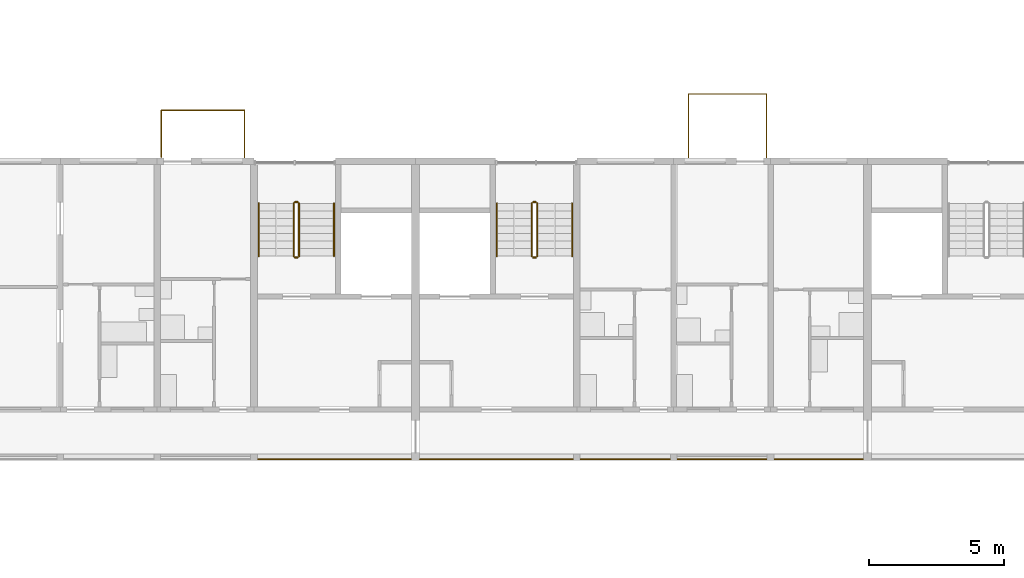
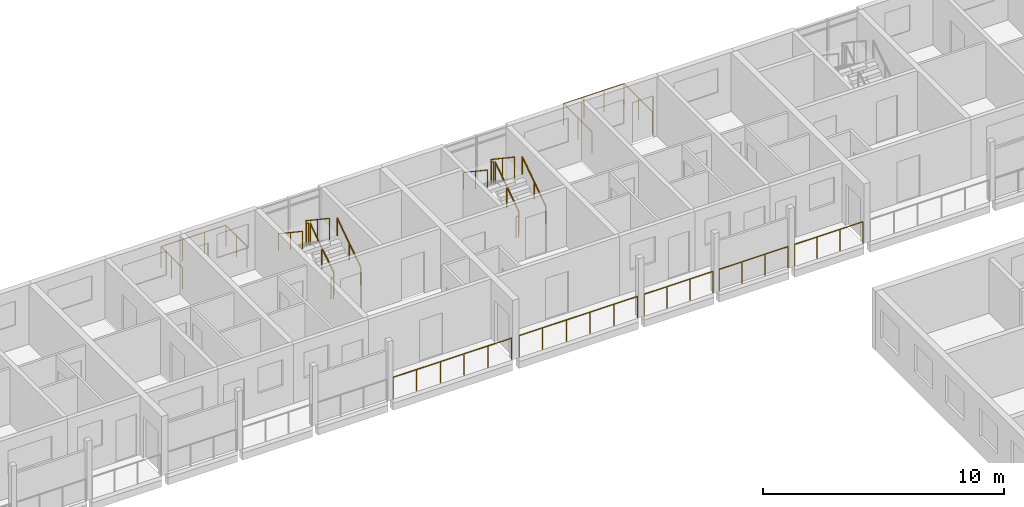
# One storey, part 109 of 122: 19 railings.
"""IFC4 building model written with IfcOpenShell, lengths in metres."""

from ifc_helpers import new_model, si_unit, direction, frame, origin, origin_2d, place, context, subcontext, project, spatial, circle, extrude, material, type_object, element, save


model = new_model("IFC4")

# Units and contexts
model_context = context("Model", 3, precision=1e-05, world=origin(), true_north=direction((0.0, 1.0)))
body_context = subcontext(model_context, "Body", "Model", "MODEL_VIEW")
ifc_project = project(units=[si_unit("LENGTHUNIT", "METRE"), si_unit("AREAUNIT", "SQUARE_METRE"), si_unit("VOLUMEUNIT", "CUBIC_METRE"), si_unit("PLANEANGLEUNIT", "RADIAN"), si_unit("MASSUNIT", "GRAM", prefix="KILO")], contexts=[model_context])

# Site, building, storey
site_placement = place(None, origin())
site = spatial("IfcSite", under=ifc_project, at=site_placement, CompositionType="ELEMENT")
building_placement = place(site_placement, origin())
building = spatial("IfcBuilding", under=site, at=building_placement, Name="Ridgestep Commons", CompositionType="ELEMENT")
storey_placement = place(building_placement, frame((0.0, 0.0, 3.0)))
storey = spatial("IfcBuildingStorey", under=building, at=storey_placement, Name="L01", CompositionType="ELEMENT", Elevation=3.0)

# Railings
ifc_material_1 = material(Name="Structural steel S355JR", Category="steel")
railing_type_1 = type_object("IfcRailingType", Name="Guard 1100", PredefinedType="GUARDRAIL", material=ifc_material_1)
railing_1_placement = place(storey_placement, frame((73.345947265625, 66.050048828125, 0.0)))
element("IfcRailing", 1, at=railing_1_placement, inside=storey, type_object=railing_type_1, Name="Gallery guard B 01.16", PredefinedType="GUARDRAIL", context=body_context, shape_type="SweptSolid", body=[
    extrude(circle(Radius=0.02392578125, at=origin_2d()), frame((0.0, 0.0, 1.076171875), z_axis=(1.0, 0.0, 0.0), x_axis=(0.0, 1.0, 0.0)), (0.0, 0.0, 1.0), 5.68310546875),
    extrude(circle(Radius=0.02099609375, at=origin_2d()), origin(), (0.0, 0.0, 1.0), 1.052001953125),
    extrude(circle(Radius=0.02099609375, at=origin_2d()), frame((1.13671875, 0.0, 0.0)), (0.0, 0.0, 1.0), 1.052001953125),
    extrude(circle(Radius=0.02099609375, at=origin_2d()), frame((2.273193359375, 0.0, 0.0)), (0.0, 0.0, 1.0), 1.052001953125),
    extrude(circle(Radius=0.02099609375, at=origin_2d()), frame((3.409912109375, 0.0, 0.0)), (0.0, 0.0, 1.0), 1.052001953125),
    extrude(circle(Radius=0.02099609375, at=origin_2d()), frame((4.54638671875, 0.0, 0.0)), (0.0, 0.0, 1.0), 1.052001953125),
    extrude(circle(Radius=0.02099609375, at=origin_2d()), frame((5.68310546875, 0.0, 0.0)), (0.0, 0.0, 1.0), 1.052001953125),
])
railing_2_placement = place(storey_placement, frame((79.37109375, 66.050048828125, 0.0)))
element("IfcRailing", 2, at=railing_2_placement, inside=storey, type_object=railing_type_1, Name="Gallery guard B 01.17", PredefinedType="GUARDRAIL", context=body_context, shape_type="SweptSolid", body=[
    extrude(circle(Radius=0.02392578125, at=origin_2d()), frame((0.0, 0.0, 1.076171875), z_axis=(1.0, 0.0, 0.0), x_axis=(0.0, 1.0, 0.0)), (0.0, 0.0, 1.0), 5.682861328125),
    extrude(circle(Radius=0.02099609375, at=origin_2d()), origin(), (0.0, 0.0, 1.0), 1.052001953125),
    extrude(circle(Radius=0.02099609375, at=origin_2d()), frame((1.136474609375, 0.0, 0.0)), (0.0, 0.0, 1.0), 1.052001953125),
    extrude(circle(Radius=0.02099609375, at=origin_2d()), frame((2.273193359375, 0.0, 0.0)), (0.0, 0.0, 1.0), 1.052001953125),
    extrude(circle(Radius=0.02099609375, at=origin_2d()), frame((3.40966796875, 0.0, 0.0)), (0.0, 0.0, 1.0), 1.052001953125),
    extrude(circle(Radius=0.02099609375, at=origin_2d()), frame((4.54638671875, 0.0, 0.0)), (0.0, 0.0, 1.0), 1.052001953125),
    extrude(circle(Radius=0.02099609375, at=origin_2d()), frame((5.682861328125, 0.0, 0.0)), (0.0, 0.0, 1.0), 1.052001953125),
])
railing_3_placement = place(storey_placement, frame((85.345947265625, 66.050048828125, 0.0)))
element("IfcRailing", 3, at=railing_3_placement, inside=storey, type_object=railing_type_1, Name="Gallery guard B 01.18", PredefinedType="GUARDRAIL", context=body_context, shape_type="SweptSolid", body=[
    extrude(circle(Radius=0.02392578125, at=origin_2d()), frame((0.0, 0.0, 1.076171875), z_axis=(1.0, 0.0, 0.0), x_axis=(0.0, 1.0, 0.0)), (0.0, 0.0, 1.0), 3.30810546875),
    extrude(circle(Radius=0.02099609375, at=origin_2d()), origin(), (0.0, 0.0, 1.0), 1.052001953125),
    extrude(circle(Radius=0.02099609375, at=origin_2d()), frame((1.102783203125, 0.0, 0.0)), (0.0, 0.0, 1.0), 1.052001953125),
    extrude(circle(Radius=0.02099609375, at=origin_2d()), frame((2.205322265625, 0.0, 0.0)), (0.0, 0.0, 1.0), 1.052001953125),
    extrude(circle(Radius=0.02099609375, at=origin_2d()), frame((3.30810546875, 0.0, 0.0)), (0.0, 0.0, 1.0), 1.052001953125),
])
railing_4_placement = place(storey_placement, frame((88.946044921875, 66.050048828125, 0.0)))
element("IfcRailing", 4, at=railing_4_placement, inside=storey, type_object=railing_type_1, Name="Gallery guard B 01.19", PredefinedType="GUARDRAIL", context=body_context, shape_type="SweptSolid", body=[
    extrude(circle(Radius=0.02392578125, at=origin_2d()), frame((0.0, 0.0, 1.076171875), z_axis=(1.0, 0.0, 0.0), x_axis=(0.0, 1.0, 0.0)), (0.0, 0.0, 1.0), 3.307861328125),
    extrude(circle(Radius=0.02099609375, at=origin_2d()), origin(), (0.0, 0.0, 1.0), 1.052001953125),
    extrude(circle(Radius=0.02099609375, at=origin_2d()), frame((1.1025390625, 0.0, 0.0)), (0.0, 0.0, 1.0), 1.052001953125),
    extrude(circle(Radius=0.02099609375, at=origin_2d()), frame((2.205322265625, 0.0, 0.0)), (0.0, 0.0, 1.0), 1.052001953125),
    extrude(circle(Radius=0.02099609375, at=origin_2d()), frame((3.307861328125, 0.0, 0.0)), (0.0, 0.0, 1.0), 1.052001953125),
])
railing_5_placement = place(storey_placement, frame((92.5458984375, 66.050048828125, 0.0)))
element("IfcRailing", 5, at=railing_5_placement, inside=storey, type_object=railing_type_1, Name="Gallery guard B 01.20", PredefinedType="GUARDRAIL", context=body_context, shape_type="SweptSolid", body=[
    extrude(circle(Radius=0.02392578125, at=origin_2d()), frame((0.0, 0.0, 1.076171875), z_axis=(1.0, 0.0, 0.0), x_axis=(0.0, 1.0, 0.0)), (0.0, 0.0, 1.0), 3.283203125),
    extrude(circle(Radius=0.02099609375, at=origin_2d()), origin(), (0.0, 0.0, 1.0), 1.052001953125),
    extrude(circle(Radius=0.02099609375, at=origin_2d()), frame((1.094482421875, 0.0, 0.0)), (0.0, 0.0, 1.0), 1.052001953125),
    extrude(circle(Radius=0.02099609375, at=origin_2d()), frame((2.188720703125, 0.0, 0.0)), (0.0, 0.0, 1.0), 1.052001953125),
    extrude(circle(Radius=0.02099609375, at=origin_2d()), frame((3.283203125, 0.0, 0.0)), (0.0, 0.0, 1.0), 1.052001953125),
])
ifc_material_2 = material(Name="Structural steel S355JR", Category="steel")
railing_type_2 = type_object("IfcRailingType", Name="Stair guard 1100", PredefinedType="GUARDRAIL", material=ifc_material_2)
railing_6_placement = place(storey_placement, frame((74.875, 73.60009765625, 0.1875)))
element("IfcRailing", 6, at=railing_6_placement, inside=storey, type_object=railing_type_2, Name="L01 B4C stair guard 1", PredefinedType="GUARDRAIL", context=body_context, shape_type="SweptSolid", body=[
    extrude(circle(Radius=0.02392578125, at=origin_2d()), frame((0.0, 0.0, 1.076171875), z_axis=(0.0, 0.830902050051, 0.556418712142), x_axis=(-1.0, 0.0, 0.0)), (0.0, 0.0, 1.0), 2.35888671875),
    extrude(circle(Radius=0.02099609375, at=origin_2d()), origin(), (0.0, 0.0, 1.0), 1.052001953125),
    extrude(circle(Radius=0.02099609375, at=origin_2d()), frame((0.0, 0.97998046875, 0.65625)), (0.0, 0.0, 1.0), 1.052001953125),
    extrude(circle(Radius=0.02099609375, at=origin_2d()), frame((0.0, 1.9599609375, 1.3125)), (0.0, 0.0, 1.0), 1.052001953125),
])
railing_7_placement = place(storey_placement, frame((74.824951171875, 75.610107421875, 1.5)))
element("IfcRailing", 7, at=railing_7_placement, inside=storey, type_object=railing_type_2, Name="L01 B4C stair guard 2", PredefinedType="GUARDRAIL", context=body_context, shape_type="SweptSolid", body=[
    extrude(circle(Radius=0.02392578125, at=origin_2d()), frame((0.0, 0.0, 1.076171875), z_axis=(-1.0, 0.0, 0.0), x_axis=(0.0, -1.0, 0.0)), (0.0, 0.0, 1.0), 0.099853515625),
    extrude(circle(Radius=0.02099609375, at=origin_2d()), origin(), (0.0, 0.0, 1.0), 1.052001953125),
    extrude(circle(Radius=0.02099609375, at=origin_2d()), frame((-0.099853515625, 0.0, 0.0)), (0.0, 0.0, 1.0), 1.052001953125),
])
railing_8_placement = place(storey_placement, frame((74.675048828125, 75.56005859375, 1.6875)))
element("IfcRailing", 8, at=railing_8_placement, inside=storey, type_object=railing_type_2, Name="L01 B4C stair guard 3", PredefinedType="GUARDRAIL", context=body_context, shape_type="SweptSolid", body=[
    extrude(circle(Radius=0.02392578125, at=origin_2d()), frame((0.0, 0.0, 1.076171875), z_axis=(0.0, -0.830902050051, 0.556418712142), x_axis=(1.0, 0.0, 0.0)), (0.0, 0.0, 1.0), 2.35888671875),
    extrude(circle(Radius=0.02099609375, at=origin_2d()), origin(), (0.0, 0.0, 1.0), 1.052001953125),
    extrude(circle(Radius=0.02099609375, at=origin_2d()), frame((0.0, -0.97998046875, 0.65625)), (0.0, 0.0, 1.0), 1.052001953125),
    extrude(circle(Radius=0.02099609375, at=origin_2d()), frame((0.0, -1.9599609375, 1.3125)), (0.0, 0.0, 1.0), 1.052001953125),
])
railing_9_placement = place(storey_placement, frame((74.824951171875, 73.550048828125, 0.0)))
element("IfcRailing", 9, at=railing_9_placement, inside=storey, type_object=railing_type_2, Name="L01 B4C stair guard 4", PredefinedType="GUARDRAIL", context=body_context, shape_type="SweptSolid", body=[
    extrude(circle(Radius=0.02392578125, at=origin_2d()), frame((0.0, 0.0, 1.076171875), z_axis=(-1.0, 0.0, 0.0), x_axis=(0.0, -1.0, 0.0)), (0.0, 0.0, 1.0), 0.099853515625),
    extrude(circle(Radius=0.02099609375, at=origin_2d()), origin(), (0.0, 0.0, 1.0), 1.052001953125),
    extrude(circle(Radius=0.02099609375, at=origin_2d()), frame((-0.099853515625, 0.0, 0.0)), (0.0, 0.0, 1.0), 1.052001953125),
])
railing_10_placement = place(storey_placement, frame((83.72509765625, 73.60009765625, 0.1875)))
element("IfcRailing", 10, at=railing_10_placement, inside=storey, type_object=railing_type_2, Name="L01 B5C stair guard 1", PredefinedType="GUARDRAIL", context=body_context, shape_type="SweptSolid", body=[
    extrude(circle(Radius=0.02392578125, at=origin_2d()), frame((0.0, 0.0, 1.076171875), z_axis=(0.0, 0.830902050051, 0.556418712142), x_axis=(-1.0, 0.0, 0.0)), (0.0, 0.0, 1.0), 2.35888671875),
    extrude(circle(Radius=0.02099609375, at=origin_2d()), origin(), (0.0, 0.0, 1.0), 1.052001953125),
    extrude(circle(Radius=0.02099609375, at=origin_2d()), frame((0.0, 0.97998046875, 0.65625)), (0.0, 0.0, 1.0), 1.052001953125),
    extrude(circle(Radius=0.02099609375, at=origin_2d()), frame((0.0, 1.9599609375, 1.3125)), (0.0, 0.0, 1.0), 1.052001953125),
])
railing_11_placement = place(storey_placement, frame((83.675048828125, 75.610107421875, 1.5)))
element("IfcRailing", 11, at=railing_11_placement, inside=storey, type_object=railing_type_2, Name="L01 B5C stair guard 2", PredefinedType="GUARDRAIL", context=body_context, shape_type="SweptSolid", body=[
    extrude(circle(Radius=0.02392578125, at=origin_2d()), frame((0.0, 0.0, 1.076171875), z_axis=(-1.0, 0.0, 0.0), x_axis=(0.0, -1.0, 0.0)), (0.0, 0.0, 1.0), 0.10009765625),
    extrude(circle(Radius=0.02099609375, at=origin_2d()), origin(), (0.0, 0.0, 1.0), 1.052001953125),
    extrude(circle(Radius=0.02099609375, at=origin_2d()), frame((-0.10009765625, 0.0, 0.0)), (0.0, 0.0, 1.0), 1.052001953125),
])
railing_12_placement = place(storey_placement, frame((83.52490234375, 75.56005859375, 1.6875)))
element("IfcRailing", 12, at=railing_12_placement, inside=storey, type_object=railing_type_2, Name="L01 B5C stair guard 3", PredefinedType="GUARDRAIL", context=body_context, shape_type="SweptSolid", body=[
    extrude(circle(Radius=0.02392578125, at=origin_2d()), frame((0.0, 0.0, 1.076171875), z_axis=(0.0, -0.830902050051, 0.556418712142), x_axis=(1.0, 0.0, 0.0)), (0.0, 0.0, 1.0), 2.35888671875),
    extrude(circle(Radius=0.02099609375, at=origin_2d()), origin(), (0.0, 0.0, 1.0), 1.052001953125),
    extrude(circle(Radius=0.02099609375, at=origin_2d()), frame((0.0, -0.97998046875, 0.65625)), (0.0, 0.0, 1.0), 1.052001953125),
    extrude(circle(Radius=0.02099609375, at=origin_2d()), frame((0.0, -1.9599609375, 1.3125)), (0.0, 0.0, 1.0), 1.052001953125),
])
railing_13_placement = place(storey_placement, frame((83.675048828125, 73.550048828125, 0.0)))
element("IfcRailing", 13, at=railing_13_placement, inside=storey, type_object=railing_type_2, Name="L01 B5C stair guard 4", PredefinedType="GUARDRAIL", context=body_context, shape_type="SweptSolid", body=[
    extrude(circle(Radius=0.02392578125, at=origin_2d()), frame((0.0, 0.0, 1.076171875), z_axis=(-1.0, 0.0, 0.0), x_axis=(0.0, -1.0, 0.0)), (0.0, 0.0, 1.0), 0.10009765625),
    extrude(circle(Radius=0.02099609375, at=origin_2d()), origin(), (0.0, 0.0, 1.0), 1.052001953125),
    extrude(circle(Radius=0.02099609375, at=origin_2d()), frame((-0.10009765625, 0.0, 0.0)), (0.0, 0.0, 1.0), 1.052001953125),
])
ifc_material_3 = material(Name="Structural steel S355JR", Category="steel")
railing_type_3 = type_object("IfcRailingType", Name="Stair handrail 900", PredefinedType="HANDRAIL", material=ifc_material_3)
railing_14_placement = place(storey_placement, frame((76.175048828125, 73.60009765625, 0.1875)))
element("IfcRailing", 14, at=railing_14_placement, inside=storey, type_object=railing_type_3, Name="L01 B4C stair handrail 1", PredefinedType="HANDRAIL", context=body_context, shape_type="SweptSolid", body=[
    extrude(circle(Radius=0.02392578125, at=origin_2d()), frame((0.0, 0.0, 0.8759765625), z_axis=(0.0, 0.830902050051, 0.556418712142), x_axis=(-1.0, 0.0, 0.0)), (0.0, 0.0, 1.0), 2.35888671875),
    extrude(circle(Radius=0.02099609375, at=origin_2d()), origin(), (0.0, 0.0, 1.0), 0.851806640625),
    extrude(circle(Radius=0.02099609375, at=origin_2d()), frame((0.0, 0.97998046875, 0.65625)), (0.0, 0.0, 1.0), 0.851806640625),
    extrude(circle(Radius=0.02099609375, at=origin_2d()), frame((0.0, 1.9599609375, 1.3125)), (0.0, 0.0, 1.0), 0.851806640625),
])
railing_15_placement = place(storey_placement, frame((73.375, 75.56005859375, 1.6875)))
element("IfcRailing", 15, at=railing_15_placement, inside=storey, type_object=railing_type_3, Name="L01 B4C stair handrail 2", PredefinedType="HANDRAIL", context=body_context, shape_type="SweptSolid", body=[
    extrude(circle(Radius=0.02392578125, at=origin_2d()), frame((0.0, 0.0, 0.8759765625), z_axis=(0.0, -0.830902050051, 0.556418712142), x_axis=(1.0, 0.0, 0.0)), (0.0, 0.0, 1.0), 2.35888671875),
    extrude(circle(Radius=0.02099609375, at=origin_2d()), origin(), (0.0, 0.0, 1.0), 0.851806640625),
    extrude(circle(Radius=0.02099609375, at=origin_2d()), frame((0.0, -0.97998046875, 0.65625)), (0.0, 0.0, 1.0), 0.851806640625),
    extrude(circle(Radius=0.02099609375, at=origin_2d()), frame((0.0, -1.9599609375, 1.3125)), (0.0, 0.0, 1.0), 0.851806640625),
])
railing_16_placement = place(storey_placement, frame((85.02490234375, 73.60009765625, 0.1875)))
element("IfcRailing", 16, at=railing_16_placement, inside=storey, type_object=railing_type_3, Name="L01 B5C stair handrail 1", PredefinedType="HANDRAIL", context=body_context, shape_type="SweptSolid", body=[
    extrude(circle(Radius=0.02392578125, at=origin_2d()), frame((0.0, 0.0, 0.8759765625), z_axis=(0.0, 0.830902050051, 0.556418712142), x_axis=(-1.0, 0.0, 0.0)), (0.0, 0.0, 1.0), 2.35888671875),
    extrude(circle(Radius=0.02099609375, at=origin_2d()), origin(), (0.0, 0.0, 1.0), 0.851806640625),
    extrude(circle(Radius=0.02099609375, at=origin_2d()), frame((0.0, 0.97998046875, 0.65625)), (0.0, 0.0, 1.0), 0.851806640625),
    extrude(circle(Radius=0.02099609375, at=origin_2d()), frame((0.0, 1.9599609375, 1.3125)), (0.0, 0.0, 1.0), 0.851806640625),
])
railing_17_placement = place(storey_placement, frame((82.22509765625, 75.56005859375, 1.6875)))
element("IfcRailing", 17, at=railing_17_placement, inside=storey, type_object=railing_type_3, Name="L01 B5C stair handrail 2", PredefinedType="HANDRAIL", context=body_context, shape_type="SweptSolid", body=[
    extrude(circle(Radius=0.02392578125, at=origin_2d()), frame((0.0, 0.0, 0.8759765625), z_axis=(0.0, -0.830902050051, 0.556418712142), x_axis=(1.0, 0.0, 0.0)), (0.0, 0.0, 1.0), 2.35888671875),
    extrude(circle(Radius=0.02099609375, at=origin_2d()), origin(), (0.0, 0.0, 1.0), 0.851806640625),
    extrude(circle(Radius=0.02099609375, at=origin_2d()), frame((0.0, -0.97998046875, 0.65625)), (0.0, 0.0, 1.0), 0.851806640625),
    extrude(circle(Radius=0.02099609375, at=origin_2d()), frame((0.0, -1.9599609375, 1.3125)), (0.0, 0.0, 1.0), 0.851806640625),
])
ifc_material_4 = material(Name="Weathering steel S355J2W", Category="steel")
railing_type_4 = type_object("IfcRailingType", Name="Tray guard 1100", PredefinedType="GUARDRAIL", material=ifc_material_4)
railing_18_placement = place(storey_placement, frame((69.7509765625, 77.27099609375, 0.0)))
element("IfcRailing", 18, at=railing_18_placement, inside=storey, type_object=railing_type_4, Name="Tray guard B4T3-01", PredefinedType="GUARDRAIL", context=body_context, shape_type="SweptSolid", body=[
    extrude(circle(Radius=0.02392578125, at=origin_2d()), frame((0.0, 0.0, 1.076171875), z_axis=(0.0, 1.0, 0.0), x_axis=(-1.0, 0.0, 0.0)), (0.0, 0.0, 1.0), 1.758056640625),
    extrude(circle(Radius=0.02392578125, at=origin_2d()), frame((0.0, 1.758056640625, 1.076171875), z_axis=(1.0, 0.0, 0.0), x_axis=(0.0, 1.0, 0.0)), (0.0, 0.0, 1.0), 3.09814453125),
    extrude(circle(Radius=0.02392578125, at=origin_2d()), frame((3.09814453125, 1.758056640625, 1.076171875), z_axis=(0.0, -1.0, 0.0), x_axis=(1.0, 0.0, 0.0)), (0.0, 0.0, 1.0), 1.758056640625),
    extrude(circle(Radius=0.02099609375, at=origin_2d()), origin(), (0.0, 0.0, 1.0), 1.052001953125),
    extrude(circle(Radius=0.02099609375, at=origin_2d()), frame((0.0, 0.87890625, 0.0)), (0.0, 0.0, 1.0), 1.052001953125),
    extrude(circle(Radius=0.02099609375, at=origin_2d()), frame((0.0, 1.758056640625, 0.0)), (0.0, 0.0, 1.0), 1.052001953125),
    extrude(circle(Radius=0.02099609375, at=origin_2d()), frame((1.03271484375, 1.758056640625, 0.0)), (0.0, 0.0, 1.0), 1.052001953125),
    extrude(circle(Radius=0.02099609375, at=origin_2d()), frame((2.0654296875, 1.758056640625, 0.0)), (0.0, 0.0, 1.0), 1.052001953125),
    extrude(circle(Radius=0.02099609375, at=origin_2d()), frame((3.09814453125, 1.758056640625, 0.0)), (0.0, 0.0, 1.0), 1.052001953125),
    extrude(circle(Radius=0.02099609375, at=origin_2d()), frame((3.09814453125, 0.87890625, 0.0)), (0.0, 0.0, 1.0), 1.052001953125),
    extrude(circle(Radius=0.02099609375, at=origin_2d()), frame((3.09814453125, 0.0, 0.0)), (0.0, 0.0, 1.0), 1.052001953125),
])
railing_19_placement = place(storey_placement, frame((89.35107421875, 77.27099609375, 0.0)))
element("IfcRailing", 19, at=railing_19_placement, inside=storey, type_object=railing_type_4, Name="Tray guard B5T2-01", PredefinedType="GUARDRAIL", context=body_context, shape_type="SweptSolid", body=[
    extrude(circle(Radius=0.02392578125, at=origin_2d()), frame((0.0, 0.0, 1.076171875), z_axis=(0.0, 1.0, 0.0), x_axis=(-1.0, 0.0, 0.0)), (0.0, 0.0, 1.0), 2.35791015625),
    extrude(circle(Radius=0.02392578125, at=origin_2d()), frame((0.0, 2.35791015625, 1.076171875), z_axis=(1.0, 0.0, 0.0), x_axis=(0.0, 1.0, 0.0)), (0.0, 0.0, 1.0), 2.89794921875),
    extrude(circle(Radius=0.02392578125, at=origin_2d()), frame((2.89794921875, 2.35791015625, 1.076171875), z_axis=(0.0, -1.0, 0.0), x_axis=(1.0, 0.0, 0.0)), (0.0, 0.0, 1.0), 2.35791015625),
    extrude(circle(Radius=0.02099609375, at=origin_2d()), origin(), (0.0, 0.0, 1.0), 1.052001953125),
    extrude(circle(Radius=0.02099609375, at=origin_2d()), frame((0.0, 1.178955078125, 0.0)), (0.0, 0.0, 1.0), 1.052001953125),
    extrude(circle(Radius=0.02099609375, at=origin_2d()), frame((0.0, 2.35791015625, 0.0)), (0.0, 0.0, 1.0), 1.052001953125),
    extrude(circle(Radius=0.02099609375, at=origin_2d()), frame((0.966064453125, 2.35791015625, 0.0)), (0.0, 0.0, 1.0), 1.052001953125),
    extrude(circle(Radius=0.02099609375, at=origin_2d()), frame((1.931884765625, 2.35791015625, 0.0)), (0.0, 0.0, 1.0), 1.052001953125),
    extrude(circle(Radius=0.02099609375, at=origin_2d()), frame((2.89794921875, 2.35791015625, 0.0)), (0.0, 0.0, 1.0), 1.052001953125),
    extrude(circle(Radius=0.02099609375, at=origin_2d()), frame((2.89794921875, 1.178955078125, 0.0)), (0.0, 0.0, 1.0), 1.052001953125),
    extrude(circle(Radius=0.02099609375, at=origin_2d()), frame((2.89794921875, 0.0, 0.0)), (0.0, 0.0, 1.0), 1.052001953125),
])

save(model, "model.ifc")
